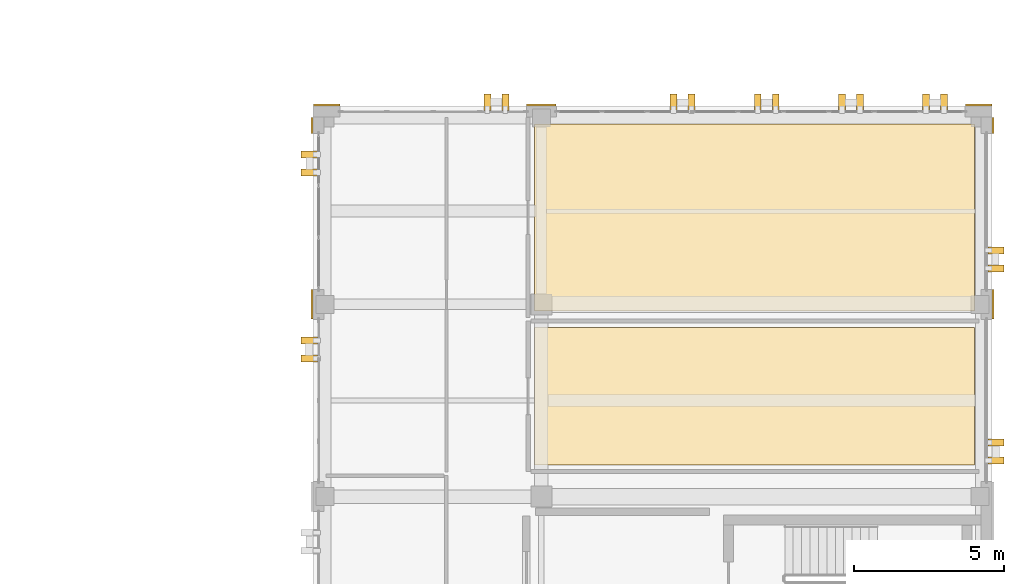
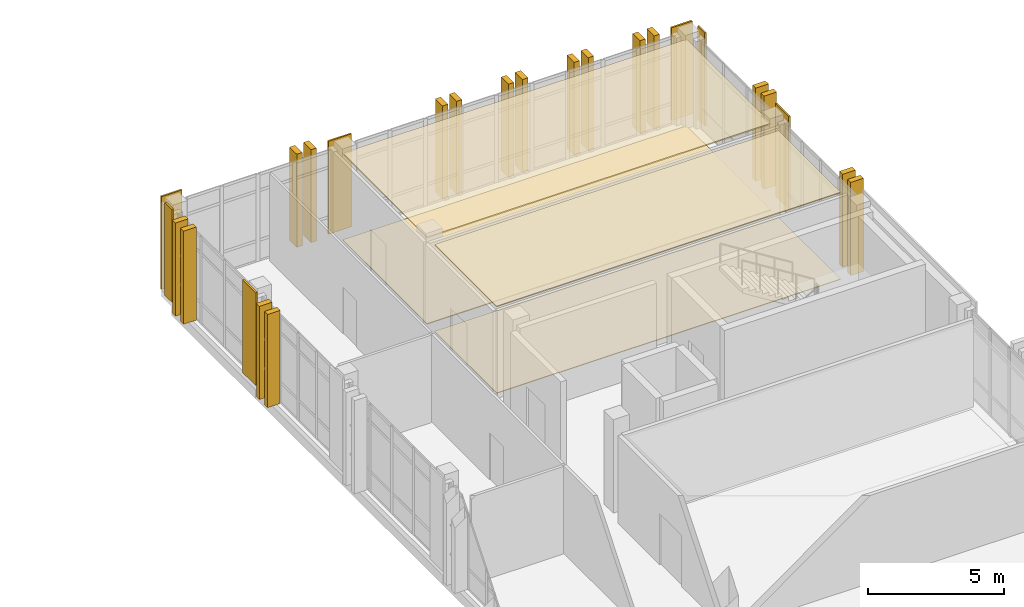
# One storey, part 73 of 77: 29 coverings.
"""IFC4 building model written with IfcOpenShell, lengths in metres."""

from ifc_helpers import new_model, si_unit, direction, frame, origin, origin_2d, place, context, subcontext, project, spatial, polyline, rectangle, outline, extrude, material, layer, layer_set, type_object, element, save


model = new_model("IFC4")

# Units and contexts
model_context = context("Model", 3, precision=1e-05, world=origin(), true_north=direction((0.0, 1.0)))
body_context = subcontext(model_context, "Body", "Model", "MODEL_VIEW")
ifc_project = project(units=[si_unit("LENGTHUNIT", "METRE"), si_unit("AREAUNIT", "SQUARE_METRE"), si_unit("VOLUMEUNIT", "CUBIC_METRE"), si_unit("PLANEANGLEUNIT", "RADIAN"), si_unit("MASSUNIT", "GRAM", prefix="KILO")], contexts=[model_context])

# Site, building, storey
site_placement = place(None, origin())
site = spatial("IfcSite", under=ifc_project, at=site_placement, CompositionType="ELEMENT")
building_placement = place(site_placement, origin())
building = spatial("IfcBuilding", under=site, at=building_placement, Name="Qalavern Law Courts", CompositionType="ELEMENT")
storey_placement = place(building_placement, frame((0.0, 0.0, 27.0)))
storey = spatial("IfcBuildingStorey", under=building, at=storey_placement, Name="L06", CompositionType="ELEMENT", Elevation=27.0)

# Coverings
ifc_material_1 = material(Name="Precast concrete C40/50", Category="concrete")
ifc_layer_1 = layer(ifc_material_1, 0.22998046875)
ifc_layer_set_1 = layer_set([ifc_layer_1], Name="Precast concrete C40/50")
covering_type_1 = type_object("IfcCoveringType", Name="ENV-BLD-2", PredefinedType="CLADDING", material=ifc_layer_set_1)
for number, where, z_axis, x_axis, name in (
    (1, (106.925048828125, 74.0, 0.005126953125), (0.0, 0.0, 1.0), (1.0, 0.0, 0.0), "Absheron stone facade blade 0773"),
    (2, (106.925048828125, 74.60009765625, 0.005126953125), (0.0, 0.0, 1.0), (1.0, 0.0, 0.0), "Absheron stone facade blade 0774"),
    (3, (106.925048828125, 80.39990234375, 0.005126953125), (0.0, 0.0, 1.0), (1.0, 0.0, 0.0), "Absheron stone facade blade 0775"),
    (4, (106.925048828125, 81.0, 0.005126953125), (0.0, 0.0, 1.0), (1.0, 0.0, 0.0), "Absheron stone facade blade 0776"),
    (5, (105.199951171875, 85.925048828125, 0.005126953125), (0.0, 0.0, 1.0), (0.0, 1.0, 0.0), "Absheron stone facade blade 0777"),
    (6, (104.60009765625, 85.925048828125, 0.005126953125), (0.0, 0.0, 1.0), (0.0, 1.0, 0.0), "Absheron stone facade blade 0778"),
    (7, (102.39990234375, 85.925048828125, 0.005126953125), (0.0, 0.0, 1.0), (0.0, 1.0, 0.0), "Absheron stone facade blade 0779"),
    (8, (101.800048828125, 85.925048828125, 0.005126953125), (0.0, 0.0, 1.0), (0.0, 1.0, 0.0), "Absheron stone facade blade 0780"),
    (9, (99.60009765625, 85.925048828125, 0.005126953125), (0.0, 0.0, 1.0), (0.0, 1.0, 0.0), "Absheron stone facade blade 0781"),
    (10, (99.0, 85.925048828125, 0.005126953125), (0.0, 0.0, 1.0), (0.0, 1.0, 0.0), "Absheron stone facade blade 0782"),
    (11, (96.800048828125, 85.925048828125, 0.005126953125), (0.0, 0.0, 1.0), (0.0, 1.0, 0.0), "Absheron stone facade blade 0783"),
    (12, (96.199951171875, 85.925048828125, 0.005126953125), (0.0, 0.0, 1.0), (0.0, 1.0, 0.0), "Absheron stone facade blade 0784"),
    (13, (90.60009765625, 85.925048828125, 0.005126953125), (0.0, 0.0, 1.0), (0.0, 1.0, 0.0), "Absheron stone facade blade 0785"),
    (14, (90.0, 85.925048828125, 0.005126953125), (0.0, 0.0, 1.0), (0.0, 1.0, 0.0), "Absheron stone facade blade 0786"),
    (15, (84.074951171875, 84.18505859375, 0.005126953125), (0.0, 0.0, 1.0), (-1.0, 0.0, 0.0), "Absheron stone facade blade 0787"),
    (16, (84.074951171875, 83.5849609375, 0.005126953125), (0.0, 0.0, 1.0), (-1.0, 0.0, 0.0), "Absheron stone facade blade 0788"),
    (17, (84.074951171875, 78.0, 0.005126953125), (0.0, 0.0, 1.0), (-1.0, 0.0, 0.0), "Absheron stone facade blade 0789"),
    (18, (84.074951171875, 77.39990234375, 0.005126953125), (0.0, 0.0, 1.0), (-1.0, 0.0, 0.0), "Absheron stone facade blade 0790"),
):
    element("IfcCovering", number, at=place(storey_placement, frame(where, z_axis=z_axis, x_axis=x_axis)), inside=storey, type_object=covering_type_1, Name=name, PredefinedType="CLADDING", context=body_context, shape_type="SweptSolid", body=[
        extrude(rectangle(XDim=0.5400390625, YDim=0.22998046875, at=origin_2d()), origin(), (0.0, 0.0, 1.0), 4.18994140625),
    ])
ifc_layer_2 = layer(ifc_material_1, 0.072021484375)
ifc_layer_set_2 = layer_set([ifc_layer_2], Name="Precast concrete C40/50")
covering_type_2 = type_object("IfcCoveringType", Name="ENV-CLD-2", PredefinedType="CLADDING", material=ifc_layer_set_2)
covering_1_placement = place(storey_placement, frame((106.8330078125, 79.199951171875, 0.01025390625), z_axis=(0.0, 0.0, 1.0), x_axis=(0.0, 1.0, 0.0)))
element("IfcCovering", 19, at=covering_1_placement, inside=storey, type_object=covering_type_2, Name="V4 Absheron limestone pier facing L06 east 5", PredefinedType="CLADDING", context=body_context, shape_type="SweptSolid", body=[
    extrude(rectangle(XDim=0.97998046875, YDim=0.072021484375, at=origin_2d()), origin(), (0.0, 0.0, 1.0), 4.179931640625),
])
covering_2_placement = place(storey_placement, frame((106.8330078125, 85.159912109375, 0.01025390625), z_axis=(0.0, 0.0, 1.0), x_axis=(0.0, 1.0, 0.0)))
element("IfcCovering", 20, at=covering_2_placement, inside=storey, type_object=covering_type_2, Name="V4 Absheron limestone pier facing L06 east 6", PredefinedType="CLADDING", context=body_context, shape_type="SweptSolid", body=[
    extrude(rectangle(XDim=0.530029296875, YDim=0.072021484375, at=origin_2d()), origin(), (0.0, 0.0, 1.0), 4.179931640625),
])
covering_3_placement = place(storey_placement, frame((106.35009765625, 85.8330078125, 0.01025390625), z_axis=(0.0, 0.0, 1.0), x_axis=(-1.0, 0.0, 0.0)))
element("IfcCovering", 21, at=covering_3_placement, inside=storey, type_object=covering_type_2, Name="V4 Absheron limestone pier facing L06 north 1", PredefinedType="CLADDING", context=body_context, shape_type="SweptSolid", body=[
    extrude(rectangle(XDim=0.8798828125, YDim=0.072021484375, at=origin_2d()), origin(), (0.0, 0.0, 1.0), 4.179931640625),
])
covering_4_placement = place(storey_placement, frame((91.800048828125, 85.8330078125, 0.01025390625), z_axis=(0.0, 0.0, 1.0), x_axis=(-1.0, 0.0, 0.0)))
element("IfcCovering", 22, at=covering_4_placement, inside=storey, type_object=covering_type_2, Name="V4 Absheron limestone pier facing L06 north 2", PredefinedType="CLADDING", context=body_context, shape_type="SweptSolid", body=[
    extrude(rectangle(XDim=0.97998046875, YDim=0.072021484375, at=origin_2d()), origin(), (0.0, 0.0, 1.0), 4.179931640625),
])
covering_5_placement = place(storey_placement, frame((84.64990234375, 85.8330078125, 0.01025390625), z_axis=(0.0, 0.0, 1.0), x_axis=(-1.0, 0.0, 0.0)))
element("IfcCovering", 23, at=covering_5_placement, inside=storey, type_object=covering_type_2, Name="V4 Absheron limestone pier facing L06 north 3", PredefinedType="CLADDING", context=body_context, shape_type="SweptSolid", body=[
    extrude(rectangle(XDim=0.8798828125, YDim=0.072021484375, at=origin_2d()), origin(), (0.0, 0.0, 1.0), 4.179931640625),
])
covering_6_placement = place(storey_placement, frame((84.1669921875, 85.159912109375, 0.01025390625), z_axis=(0.0, 0.0, 1.0), x_axis=(0.0, -1.0, 0.0)))
element("IfcCovering", 24, at=covering_6_placement, inside=storey, type_object=covering_type_2, Name="V4 Absheron limestone pier facing L06 west 1", PredefinedType="CLADDING", context=body_context, shape_type="SweptSolid", body=[
    extrude(rectangle(XDim=0.530029296875, YDim=0.072021484375, at=origin_2d()), origin(), (0.0, 0.0, 1.0), 4.179931640625),
])
covering_7_placement = place(storey_placement, frame((84.1669921875, 79.199951171875, 0.01025390625), z_axis=(0.0, 0.0, 1.0), x_axis=(0.0, -1.0, 0.0)))
element("IfcCovering", 25, at=covering_7_placement, inside=storey, type_object=covering_type_2, Name="V4 Absheron limestone pier facing L06 west 2", PredefinedType="CLADDING", context=body_context, shape_type="SweptSolid", body=[
    extrude(rectangle(XDim=0.97998046875, YDim=0.072021484375, at=origin_2d()), origin(), (0.0, 0.0, 1.0), 4.179931640625),
])
ifc_material_2 = material(Name="Perforated gypsum and mineral-wool acoustic ceiling")
ifc_layer_3 = layer(ifc_material_2, 0.0458984375)
ifc_layer_set_3 = layer_set([ifc_layer_3], Name="Perforated gypsum and mineral-wool acoustic ceiling")
covering_type_3 = type_object("IfcCoveringType", Name="INT-CEIL-2", PredefinedType="CEILING", material=ifc_layer_set_3)
covering_8_placement = place(storey_placement, frame((0.0, 0.0, 3.888916015625)))
element("IfcCovering", 26, at=covering_8_placement, inside=storey, type_object=covering_type_3, Name="Appellate Panel Chambers acoustic ceiling L06", PredefinedType="CEILING", context=body_context, shape_type="SweptSolid", body=[
    extrude(outline(polyline([(91.570068359375, 73.85009765625), (106.2099609375, 73.85009765625), (106.2099609375, 78.43505859375), (91.570068359375, 78.43505859375), (91.570068359375, 73.85009765625)])), origin(), (0.0, 0.0, 1.0), 0.046142578125),
])
ifc_material_3 = material(Name="Slatted oak acoustic timber baffle ceiling", Category="wood")
ifc_layer_4 = layer(ifc_material_3, 0.055908203125)
ifc_layer_set_4 = layer_set([ifc_layer_4], Name="Slatted oak acoustic timber baffle ceiling")
covering_type_4 = type_object("IfcCoveringType", Name="INT-CEIL-3", PredefinedType="CEILING", material=ifc_layer_set_4)
covering_9_placement = place(storey_placement, frame((0.0, 0.0, 3.87890625)))
element("IfcCovering", 27, at=covering_9_placement, inside=storey, type_object=covering_type_4, Name="Judicial Conference Room acoustic ceiling L06", PredefinedType="CEILING", context=body_context, shape_type="SweptSolid", body=[
    extrude(outline(polyline([(91.570068359375, 78.97509765625), (106.2099609375, 78.97509765625), (106.2099609375, 85.2099609375), (91.570068359375, 85.2099609375), (91.570068359375, 78.97509765625)])), origin(), (0.0, 0.0, 1.0), 0.05615234375),
])
ifc_material_4 = material(Name="Polished Absheron stone terrazzo flooring", Category="masonry")
ifc_layer_5 = layer(ifc_material_4, 0.030029296875)
ifc_layer_set_5 = layer_set([ifc_layer_5], Name="Polished Absheron stone terrazzo flooring")
covering_type_5 = type_object("IfcCoveringType", Name="INT-FLR-2", PredefinedType="FLOORING", material=ifc_layer_set_5)
covering_10_placement = place(storey_placement, origin())
element("IfcCovering", 28, at=covering_10_placement, inside=storey, type_object=covering_type_5, Name="Appellate Panel Chambers finish flooring L06", PredefinedType="FLOORING", context=body_context, shape_type="SweptSolid", body=[
    extrude(outline(polyline([(91.570068359375, 73.85009765625), (106.2099609375, 73.85009765625), (106.2099609375, 78.43505859375), (91.570068359375, 78.43505859375), (91.570068359375, 73.85009765625)])), origin(), (0.0, 0.0, 1.0), 0.030029296875),
])
ifc_material_5 = material(Name="Acoustic engineered oak courtroom flooring")
ifc_layer_6 = layer(ifc_material_5, 0.0380859375)
ifc_layer_set_6 = layer_set([ifc_layer_6], Name="Acoustic engineered oak courtroom flooring")
covering_type_6 = type_object("IfcCoveringType", Name="INT-FLR-3", PredefinedType="FLOORING", material=ifc_layer_set_6)
covering_11_placement = place(storey_placement, origin())
element("IfcCovering", 29, at=covering_11_placement, inside=storey, type_object=covering_type_6, Name="Judicial Conference Room finish flooring L06", PredefinedType="FLOORING", context=body_context, shape_type="SweptSolid", body=[
    extrude(outline(polyline([(91.570068359375, 78.97509765625), (106.2099609375, 78.97509765625), (106.2099609375, 85.2099609375), (91.570068359375, 85.2099609375), (91.570068359375, 78.97509765625)])), origin(), (0.0, 0.0, 1.0), 0.0380859375),
])

save(model, "model.ifc")
